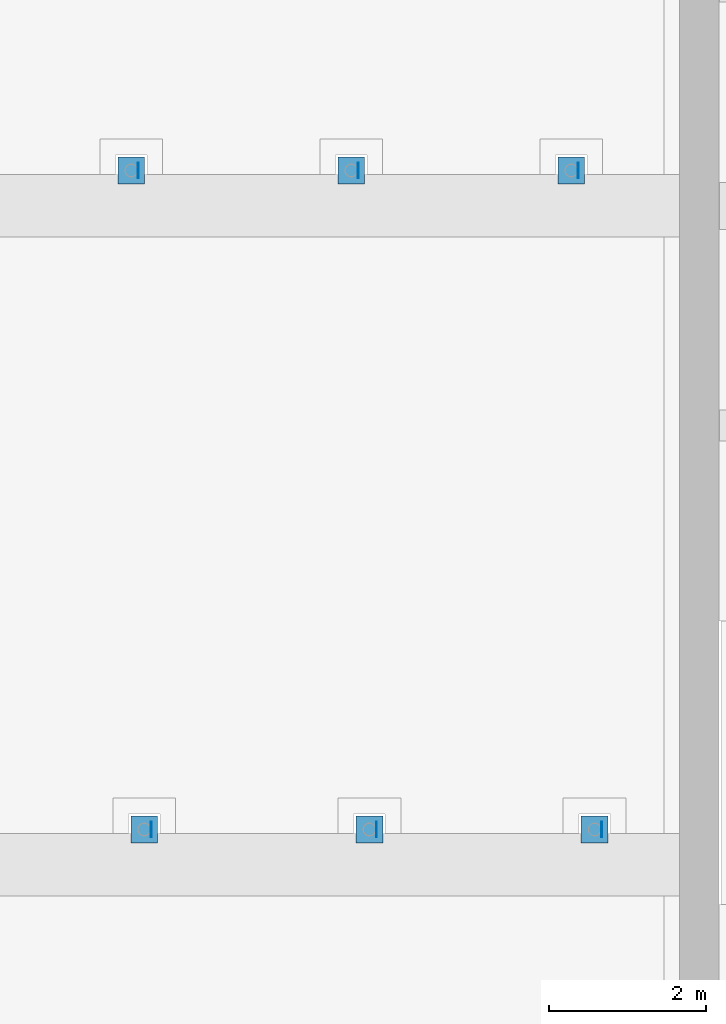
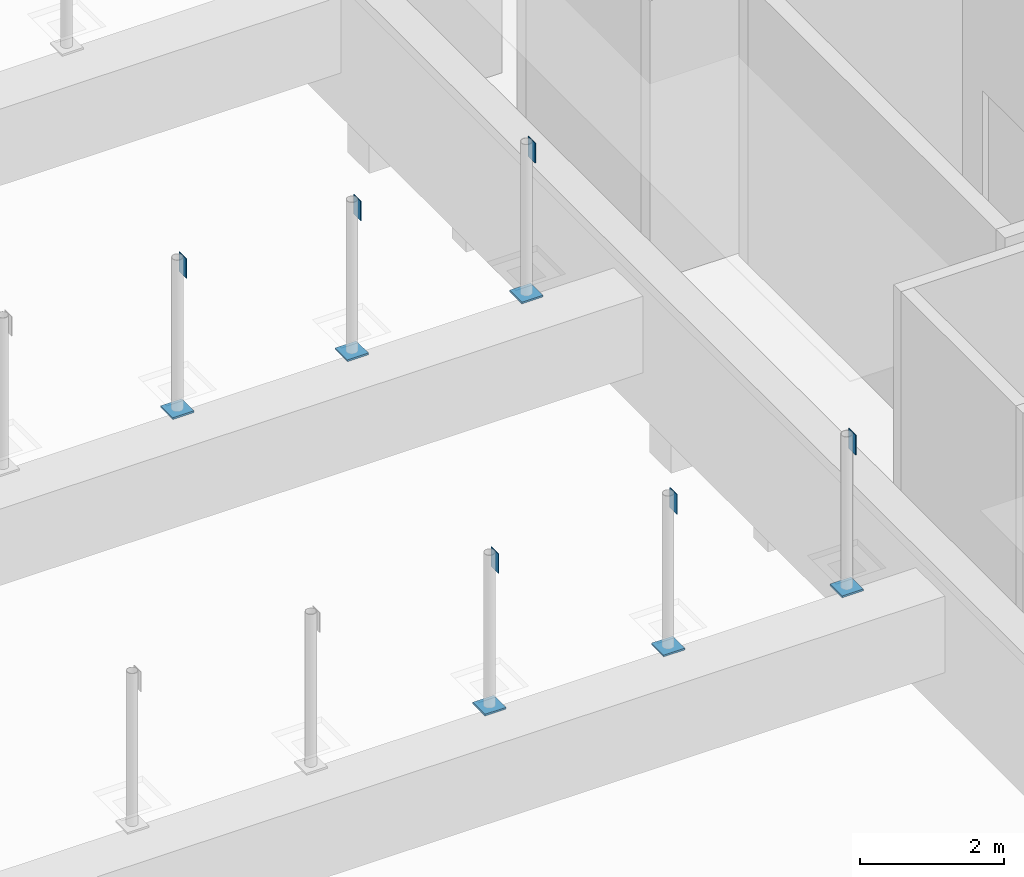
# One storey, part 38 of 47: 12 discrete accessories.
"""IFC4 building model written with IfcOpenShell, lengths in metres."""

from ifc_helpers import new_model, si_unit, direction, frame, origin, origin_2d, place, context, subcontext, project, spatial, rectangle, extrude, material, layer, layer_set, material_profile, profile_set, type_object, element, save


model = new_model("IFC4")

# Units and contexts
model_context = context("Model", 3, precision=1e-05, world=origin(), true_north=direction((0.0, 1.0)))
body_context = subcontext(model_context, "Body", "Model", "MODEL_VIEW")
ifc_project = project(units=[si_unit("LENGTHUNIT", "METRE"), si_unit("AREAUNIT", "SQUARE_METRE"), si_unit("VOLUMEUNIT", "CUBIC_METRE"), si_unit("PLANEANGLEUNIT", "RADIAN"), si_unit("MASSUNIT", "GRAM", prefix="KILO")], contexts=[model_context])

# Site, building, storey
site_placement = place(None, origin())
site = spatial("IfcSite", under=ifc_project, at=site_placement, CompositionType="ELEMENT")
building_placement = place(site_placement, origin())
building = spatial("IfcBuilding", under=site, at=building_placement, Name="Larchfold Concert Hall", CompositionType="ELEMENT")
storey_placement = place(building_placement, frame((0.0, 0.0, 24.0)))
storey = spatial("IfcBuildingStorey", under=building, at=storey_placement, Name="L05", CompositionType="ELEMENT", Elevation=24.0)

# Discrete accessories
ifc_material_1 = material(Name="Steel S355 galvanised bracket", Category="steel")
ifc_material_profile = material_profile(ifc_material_1, rectangle(XDim=0.011962890625, YDim=0.199951171875, at=origin_2d()))
ifc_profile_set = profile_set([ifc_material_profile], Name="Steel S355 galvanised bracket")
discrete_accessory_type_1 = type_object("IfcDiscreteAccessoryType", Name="Gusset plate 12x200", PredefinedType="BRACKET", material=ifc_profile_set)
for number, where, z_axis, x_axis, name in (
    (1, (49.865478515625, 68.25, 4.33837890625), (0.0, 0.0, 1.0), (1.0, 0.0, 0.0), "Gusset plate GP0080"),
    (2, (52.735595703125, 68.25, 4.33837890625), (0.0, 0.0, 1.0), (1.0, 0.0, 0.0), "Gusset plate GP0081"),
    (3, (55.60546875, 68.25, 4.33837890625), (0.0, 0.0, 1.0), (1.0, 0.0, 0.0), "Gusset plate GP0082"),
    (4, (49.70068359375, 76.650146484375, 4.3134765625), (0.0, 0.0, 1.0), (1.0, 0.0, 0.0), "Gusset plate GP0090"),
    (5, (52.5048828125, 76.650146484375, 4.30859375), (0.0, 0.0, 1.0), (1.0, 0.0, 0.0), "Gusset plate GP0091"),
    (6, (55.30908203125, 76.650146484375, 4.30859375), (0.0, 0.0, 1.0), (1.0, 0.0, 0.0), "Gusset plate GP0092"),
):
    element("IfcDiscreteAccessory", number, at=place(storey_placement, frame(where, z_axis=z_axis, x_axis=x_axis)), inside=storey, type_object=discrete_accessory_type_1, Name=name, PredefinedType="BRACKET", context=body_context, shape_type="SweptSolid", body=[
        extrude(rectangle(XDim=0.011962890625, YDim=0.199951171875, at=origin_2d()), origin(), (0.0, 0.0, 1.0), 0.336669921875),
    ])
ifc_material_2 = material(Name="Steel S355 galvanised bracket", Category="steel")
ifc_layer = layer(ifc_material_2, 0.030029296875)
ifc_layer_set = layer_set([ifc_layer], Name="Steel S355 galvanised bracket")
discrete_accessory_type_2 = type_object("IfcDiscreteAccessoryType", Name="Post base plate 340x340x30", PredefinedType="BRACKET", material=ifc_layer_set)
for number, where, z_axis, x_axis, name in (
    (7, (49.775390625, 68.25, 2.0498046875), (0.0, 0.0, 1.0), (1.0, 0.0, 0.0), "Post base plate BP008"),
    (8, (52.6455078125, 68.25, 2.0498046875), (0.0, 0.0, 1.0), (1.0, 0.0, 0.0), "Post base plate BP009"),
    (9, (55.515380859375, 68.25, 2.0498046875), (0.0, 0.0, 1.0), (1.0, 0.0, 0.0), "Post base plate BP010"),
    (10, (49.610595703125, 76.650146484375, 2.0498046875), (0.0, 0.0, 1.0), (1.0, 0.0, 0.0), "Post base plate BP018"),
    (11, (52.414794921875, 76.650146484375, 2.0498046875), (0.0, 0.0, 1.0), (1.0, 0.0, 0.0), "Post base plate BP019"),
    (12, (55.218994140625, 76.650146484375, 2.0498046875), (0.0, 0.0, 1.0), (1.0, 0.0, 0.0), "Post base plate BP020"),
):
    element("IfcDiscreteAccessory", number, at=place(storey_placement, frame(where, z_axis=z_axis, x_axis=x_axis)), inside=storey, type_object=discrete_accessory_type_2, Name=name, PredefinedType="BRACKET", context=body_context, shape_type="SweptSolid", body=[
        extrude(rectangle(XDim=0.340087890625, YDim=0.340087890625, at=origin_2d()), origin(), (0.0, 0.0, 1.0), 0.030029296875),
    ])

save(model, "model.ifc")
